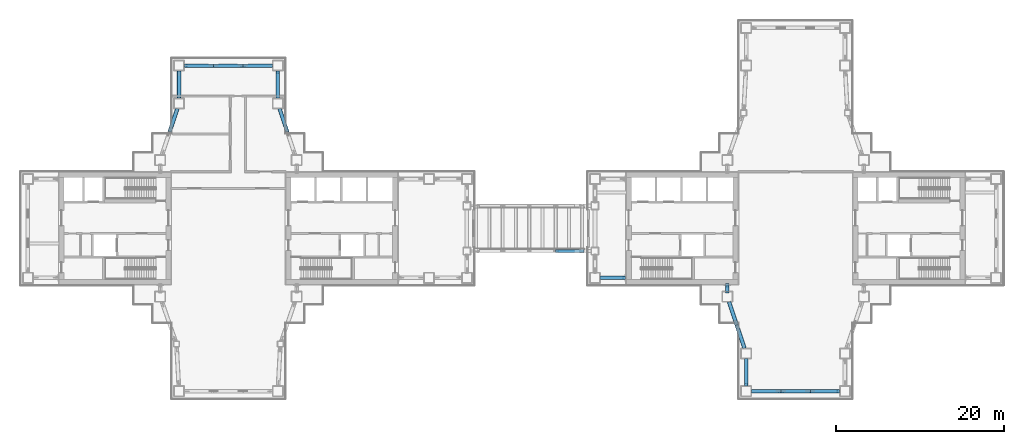
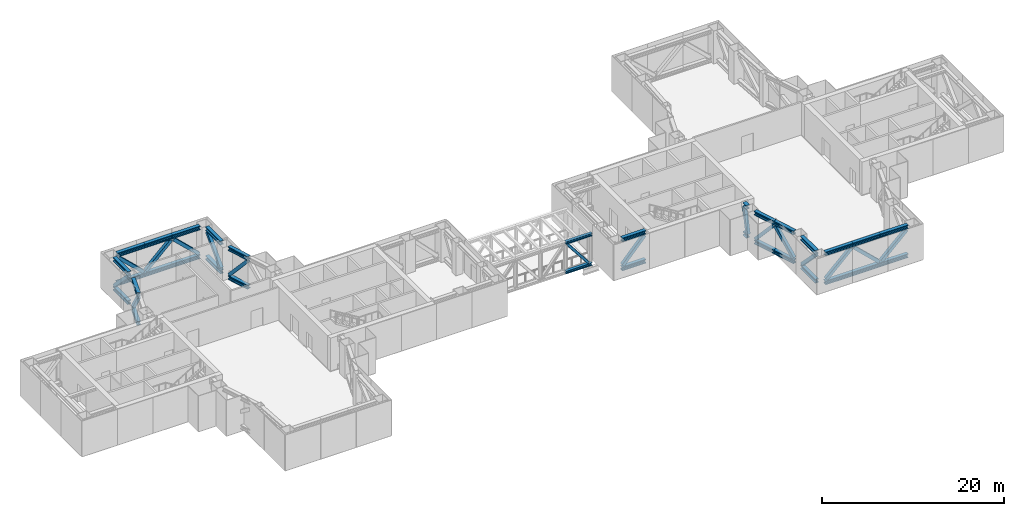
# One storey, part 5 of 21: 48 members.
"""IFC4 building model written with IfcOpenShell, lengths in metres."""

from ifc_helpers import new_model, si_unit, direction, frame, origin, origin_2d, place, context, subcontext, project, spatial, hollow_rectangle, i_section, extrude, material, material_profile, profile_set, type_object, element, save


model = new_model("IFC4")

# Units and contexts
model_context = context("Model", 3, precision=1e-05, world=origin(), true_north=direction((0.0, 1.0)))
body_context = subcontext(model_context, "Body", "Model", "MODEL_VIEW")
ifc_project = project(units=[si_unit("LENGTHUNIT", "METRE"), si_unit("AREAUNIT", "SQUARE_METRE"), si_unit("VOLUMEUNIT", "CUBIC_METRE"), si_unit("PLANEANGLEUNIT", "RADIAN"), si_unit("MASSUNIT", "GRAM", prefix="KILO")], contexts=[model_context])

# Site, building, storey
site_placement = place(None, origin())
site = spatial("IfcSite", under=ifc_project, at=site_placement, CompositionType="ELEMENT")
building_placement = place(site_placement, origin())
building = spatial("IfcBuilding", under=site, at=building_placement, Name="Shamsa Quay Exchange Towers", CompositionType="ELEMENT")
storey_placement = place(building_placement, frame((0.0, 0.0, 128.699951171875)))
storey = spatial("IfcBuildingStorey", under=building, at=storey_placement, Name="L30", CompositionType="ELEMENT", Elevation=128.699951171875)

# Members
ifc_material = material(Name="Steel S355", Category="steel")
ifc_material_profile_1 = material_profile(ifc_material, i_section(OverallWidth=0.4423828125, OverallDepth=0.531494140625, WebThickness=0.06591796875, FlangeThickness=0.105712890625, at=origin_2d()), Name="W14x605")
ifc_profile_set_1 = profile_set([ifc_material_profile_1], Name="Steel S355")
member_type_1 = type_object("IfcMemberType", Name="Belt chord W14x605", PredefinedType="CHORD", material=ifc_profile_set_1)
for number, where, z_axis, x_axis, name in (
    (1, (-26.75, 11.5, 4.13427734375), (-0.316253032459, 0.948674875529, 0.0), (-0.948674875529, -0.316253032459, 0.0), "Belt truss chord T1 L30 17"),
    (2, (-26.75, 11.5, 0.265869140625), (-0.316253032459, 0.948674875529, 0.0), (-0.948674875529, -0.316253032459, 0.0), "Belt truss chord T1 L30 17"),
):
    element("IfcMember", number, at=place(storey_placement, frame(where, z_axis=z_axis, x_axis=x_axis)), inside=storey, type_object=member_type_1, Name=name, PredefinedType="CHORD", context=body_context, shape_type="SweptSolid", body=[
        extrude(i_section(OverallWidth=0.4423828125, OverallDepth=0.531494140625, WebThickness=0.06591796875, FlangeThickness=0.105712890625, at=origin_2d()), origin(), (0.0, 0.0, 1.0), 2.898681640625),
    ])
for number, where, z_axis, x_axis, name in (
    (3, (-27.875, 15.5, 4.13427734375), (0.0, 1.0, 0.0), (-1.0, 0.0, 0.0), "Belt truss chord T1 L30 18"),
    (4, (-27.875, 15.5, 0.265869140625), (0.0, 1.0, 0.0), (-1.0, 0.0, 0.0), "Belt truss chord T1 L30 18"),
):
    element("IfcMember", number, at=place(storey_placement, frame(where, z_axis=z_axis, x_axis=x_axis)), inside=storey, type_object=member_type_1, Name=name, PredefinedType="CHORD", context=body_context, shape_type="SweptSolid", body=[
        extrude(i_section(OverallWidth=0.4423828125, OverallDepth=0.531494140625, WebThickness=0.06591796875, FlangeThickness=0.105712890625, at=origin_2d()), origin(), (0.0, 0.0, 1.0), 3.25),
    ])
for number, where, z_axis, x_axis, name in (
    (5, (-28.5, 19.375, 4.13427734375), (-1.0, 0.0, 0.0), (0.0, -1.0, 0.0), "Belt truss chord T1 L30 19"),
    (6, (-28.5, 19.375, 0.265869140625), (-1.0, 0.0, 0.0), (0.0, -1.0, 0.0), "Belt truss chord T1 L30 19"),
    (7, (-32.0, 19.375, 4.13427734375), (-1.0, 0.0, 0.0), (0.0, -1.0, 0.0), "Belt truss chord T1 L30 19"),
    (8, (-32.0, 19.375, 0.265869140625), (-1.0, 0.0, 0.0), (0.0, -1.0, 0.0), "Belt truss chord T1 L30 19"),
    (9, (-35.5, 19.375, 4.13427734375), (-1.0, 0.0, 0.0), (0.0, -1.0, 0.0), "Belt truss chord T1 L30 19"),
    (10, (-35.5, 19.375, 0.265869140625), (-1.0, 0.0, 0.0), (0.0, -1.0, 0.0), "Belt truss chord T1 L30 19"),
):
    element("IfcMember", number, at=place(storey_placement, frame(where, z_axis=z_axis, x_axis=x_axis)), inside=storey, type_object=member_type_1, Name=name, PredefinedType="CHORD", context=body_context, shape_type="SweptSolid", body=[
        extrude(i_section(OverallWidth=0.4423828125, OverallDepth=0.531494140625, WebThickness=0.06591796875, FlangeThickness=0.105712890625, at=origin_2d()), origin(), (0.0, 0.0, 1.0), 3.5),
    ])
for number, where, z_axis, x_axis, name in (
    (11, (-39.625, 18.75, 4.13427734375), (0.0, -1.0, 0.0), (1.0, 0.0, 0.0), "Belt truss chord T1 L30 20"),
    (12, (-39.625, 18.75, 0.265869140625), (0.0, -1.0, 0.0), (1.0, 0.0, 0.0), "Belt truss chord T1 L30 20"),
):
    element("IfcMember", number, at=place(storey_placement, frame(where, z_axis=z_axis, x_axis=x_axis)), inside=storey, type_object=member_type_1, Name=name, PredefinedType="CHORD", context=body_context, shape_type="SweptSolid", body=[
        extrude(i_section(OverallWidth=0.4423828125, OverallDepth=0.531494140625, WebThickness=0.06591796875, FlangeThickness=0.105712890625, at=origin_2d()), origin(), (0.0, 0.0, 1.0), 3.25),
    ])
for number, where, z_axis, x_axis, name in (
    (13, (-39.833251953125, 14.25, 4.13427734375), (-0.316253032459, -0.948674875529, 0.0), (0.948674875529, -0.316253032459, 0.0), "Belt truss chord T1 L30 21"),
    (14, (-39.833251953125, 14.25, 0.265869140625), (-0.316253032459, -0.948674875529, 0.0), (0.948674875529, -0.316253032459, 0.0), "Belt truss chord T1 L30 21"),
    (15, (25.833251953125, -8.75, 4.13427734375), (0.316253032459, -0.948674875529, 0.0), (0.948674875529, 0.316253032459, 0.0), "Belt truss chord T2 L30 3"),
    (16, (25.833251953125, -8.75, 0.265869140625), (0.316253032459, -0.948674875529, 0.0), (0.948674875529, 0.316253032459, 0.0), "Belt truss chord T2 L30 3"),
    (17, (26.75, -11.5, 4.13427734375), (0.316253032459, -0.948674875529, 0.0), (0.948674875529, 0.316253032459, 0.0), "Belt truss chord T2 L30 3"),
    (18, (26.75, -11.5, 0.265869140625), (0.316253032459, -0.948674875529, 0.0), (0.948674875529, 0.316253032459, 0.0), "Belt truss chord T2 L30 3"),
):
    element("IfcMember", number, at=place(storey_placement, frame(where, z_axis=z_axis, x_axis=x_axis)), inside=storey, type_object=member_type_1, Name=name, PredefinedType="CHORD", context=body_context, shape_type="SweptSolid", body=[
        extrude(i_section(OverallWidth=0.4423828125, OverallDepth=0.531494140625, WebThickness=0.06591796875, FlangeThickness=0.105712890625, at=origin_2d()), origin(), (0.0, 0.0, 1.0), 2.898681640625),
    ])
for number, where, z_axis, x_axis, name in (
    (19, (27.875, -15.5, 4.13427734375), (0.0, -1.0, 0.0), (1.0, 0.0, 0.0), "Belt truss chord T2 L30 4"),
    (20, (27.875, -15.5, 0.265869140625), (0.0, -1.0, 0.0), (1.0, 0.0, 0.0), "Belt truss chord T2 L30 4"),
):
    element("IfcMember", number, at=place(storey_placement, frame(where, z_axis=z_axis, x_axis=x_axis)), inside=storey, type_object=member_type_1, Name=name, PredefinedType="CHORD", context=body_context, shape_type="SweptSolid", body=[
        extrude(i_section(OverallWidth=0.4423828125, OverallDepth=0.531494140625, WebThickness=0.06591796875, FlangeThickness=0.105712890625, at=origin_2d()), origin(), (0.0, 0.0, 1.0), 3.25),
    ])
for number, where, z_axis, x_axis, name in (
    (21, (28.5, -19.375, 4.13427734375), (1.0, 0.0, 0.0), (0.0, 1.0, 0.0), "Belt truss chord T2 L30 5"),
    (22, (28.5, -19.375, 0.265869140625), (1.0, 0.0, 0.0), (0.0, 1.0, 0.0), "Belt truss chord T2 L30 5"),
    (23, (32.0, -19.375, 4.13427734375), (1.0, 0.0, 0.0), (0.0, 1.0, 0.0), "Belt truss chord T2 L30 5"),
    (24, (32.0, -19.375, 0.265869140625), (1.0, 0.0, 0.0), (0.0, 1.0, 0.0), "Belt truss chord T2 L30 5"),
    (25, (35.5, -19.375, 4.13427734375), (1.0, 0.0, 0.0), (0.0, 1.0, 0.0), "Belt truss chord T2 L30 5"),
    (26, (35.5, -19.375, 0.265869140625), (1.0, 0.0, 0.0), (0.0, 1.0, 0.0), "Belt truss chord T2 L30 5"),
):
    element("IfcMember", number, at=place(storey_placement, frame(where, z_axis=z_axis, x_axis=x_axis)), inside=storey, type_object=member_type_1, Name=name, PredefinedType="CHORD", context=body_context, shape_type="SweptSolid", body=[
        extrude(i_section(OverallWidth=0.4423828125, OverallDepth=0.531494140625, WebThickness=0.06591796875, FlangeThickness=0.105712890625, at=origin_2d()), origin(), (0.0, 0.0, 1.0), 3.5),
    ])
ifc_material_profile_2 = material_profile(ifc_material, hollow_rectangle(XDim=0.406494140625, YDim=0.406494140625, WallThickness=0.01904296875, at=origin_2d()), Name="HSS16x16x3/4")
ifc_profile_set_2 = profile_set([ifc_material_profile_2], Name="Steel S355")
member_type_2 = type_object("IfcMemberType", Name="Belt diagonal HSS16x16x3/4", PredefinedType="BRACE", material=ifc_profile_set_2)
member_1_placement = place(storey_placement, frame((-27.630126953125, 14.14013671875, 0.664794921875), z_axis=(0.207392349561, -0.622117021954, 0.754956173786), x_axis=(0.948674144101, 0.316255226541, 0.0)))
element("IfcMember", 27, at=member_1_placement, inside=storey, type_object=member_type_2, Name="Belt truss diagonal T1 L30 17", PredefinedType="BRACE", context=body_context, shape_type="SweptSolid", body=[
    extrude(hollow_rectangle(XDim=0.406494140625, YDim=0.406494140625, WallThickness=0.01904296875, at=origin_2d()), origin(), (0.0, 0.0, 1.0), 4.067138671875),
])
member_2_placement = place(storey_placement, frame((-27.875, 15.63818359375, 0.67333984375), z_axis=(0.0, 0.69767935738, 0.716410157861), x_axis=(-1.0, 0.0, 0.0)))
element("IfcMember", 28, at=member_2_placement, inside=storey, type_object=member_type_2, Name="Belt truss diagonal T1 L30 18", PredefinedType="BRACE", context=body_context, shape_type="SweptSolid", body=[
    extrude(hollow_rectangle(XDim=0.406494140625, YDim=0.406494140625, WallThickness=0.01904296875, at=origin_2d()), origin(), (0.0, 0.0, 1.0), 4.26220703125),
])
for number, where, z_axis, x_axis, name in (
    (29, (-28.654296875, 19.375, 0.678466796875), (-0.723709894071, 0.0, 0.690104332129), (0.0, -1.0, 0.0), "Belt truss diagonal T1 L30 19"),
    (30, (-35.345703125, 19.375, 0.678466796875), (0.723709894071, 0.0, 0.690104332129), (0.0, 1.0, 0.0), "Belt truss diagonal T1 L30 19"),
    (31, (-35.654296875, 19.375, 0.678466796875), (-0.723709894071, 0.0, 0.690104332129), (0.0, -1.0, 0.0), "Belt truss diagonal T1 L30 19"),
):
    element("IfcMember", number, at=place(storey_placement, frame(where, z_axis=z_axis, x_axis=x_axis)), inside=storey, type_object=member_type_2, Name=name, PredefinedType="BRACE", context=body_context, shape_type="SweptSolid", body=[
        extrude(hollow_rectangle(XDim=0.406494140625, YDim=0.406494140625, WallThickness=0.01904296875, at=origin_2d()), origin(), (0.0, 0.0, 1.0), 4.40966796875),
    ])
member_3_placement = place(storey_placement, frame((-39.625, 18.61181640625, 0.67333984375), z_axis=(0.0, -0.69767935738, 0.716410157861), x_axis=(1.0, 0.0, 0.0)))
element("IfcMember", 32, at=member_3_placement, inside=storey, type_object=member_type_2, Name="Belt truss diagonal T1 L30 20", PredefinedType="BRACE", context=body_context, shape_type="SweptSolid", body=[
    extrude(hollow_rectangle(XDim=0.406494140625, YDim=0.406494140625, WallThickness=0.01904296875, at=origin_2d()), origin(), (0.0, 0.0, 1.0), 4.26220703125),
])
for number, where, z_axis, x_axis, name in (
    (33, (-39.869873046875, 14.14013671875, 0.664794921875), (-0.207392349561, -0.622117021954, 0.754956173786), (0.948674144101, -0.316255226541, 0.0), "Belt truss diagonal T1 L30 21"),
    (34, (25.869873046875, -8.85986328125, 0.664794921875), (0.207392349561, -0.622117021954, 0.754956173786), (0.948674144101, 0.316255226541, 0.0), "Belt truss diagonal T2 L30 3"),
    (35, (27.630126953125, -14.14013671875, 0.664794921875), (-0.207392349561, 0.622117021954, 0.754956173786), (-0.948674144101, -0.316255226541, 0.0), "Belt truss diagonal T2 L30 3"),
):
    element("IfcMember", number, at=place(storey_placement, frame(where, z_axis=z_axis, x_axis=x_axis)), inside=storey, type_object=member_type_2, Name=name, PredefinedType="BRACE", context=body_context, shape_type="SweptSolid", body=[
        extrude(hollow_rectangle(XDim=0.406494140625, YDim=0.406494140625, WallThickness=0.01904296875, at=origin_2d()), origin(), (0.0, 0.0, 1.0), 4.067138671875),
    ])
member_4_placement = place(storey_placement, frame((27.875, -15.63818359375, 0.67333984375), z_axis=(0.0, -0.69767935738, 0.716410157861), x_axis=(1.0, 0.0, 0.0)))
element("IfcMember", 36, at=member_4_placement, inside=storey, type_object=member_type_2, Name="Belt truss diagonal T2 L30 4", PredefinedType="BRACE", context=body_context, shape_type="SweptSolid", body=[
    extrude(hollow_rectangle(XDim=0.406494140625, YDim=0.406494140625, WallThickness=0.01904296875, at=origin_2d()), origin(), (0.0, 0.0, 1.0), 4.26220703125),
])
for number, where, z_axis, x_axis, name in (
    (37, (28.654296875, -19.375, 0.678466796875), (0.723709894071, 0.0, 0.690104332129), (0.0, 1.0, 0.0), "Belt truss diagonal T2 L30 5"),
    (38, (35.345703125, -19.375, 0.678466796875), (-0.723709894071, 0.0, 0.690104332129), (0.0, -1.0, 0.0), "Belt truss diagonal T2 L30 5"),
    (39, (35.654296875, -19.375, 0.678466796875), (0.723709894071, 0.0, 0.690104332129), (0.0, 1.0, 0.0), "Belt truss diagonal T2 L30 5"),
):
    element("IfcMember", number, at=place(storey_placement, frame(where, z_axis=z_axis, x_axis=x_axis)), inside=storey, type_object=member_type_2, Name=name, PredefinedType="BRACE", context=body_context, shape_type="SweptSolid", body=[
        extrude(hollow_rectangle(XDim=0.406494140625, YDim=0.406494140625, WallThickness=0.01904296875, at=origin_2d()), origin(), (0.0, 0.0, 1.0), 4.40966796875),
    ])
ifc_material_profile_3 = material_profile(ifc_material, i_section(OverallWidth=0.4423828125, OverallDepth=0.531494140625, WebThickness=0.06591796875, FlangeThickness=0.105712890625, at=origin_2d()), Name="W14x605")
ifc_profile_set_3 = profile_set([ifc_material_profile_3], Name="Steel S355")
member_type_3 = type_object("IfcMemberType", Name="Outrigger chord W14x605", PredefinedType="CHORD", material=ifc_profile_set_3)
for number, where, z_axis, x_axis, name in (
    (40, (10.5, -5.875, 4.13427734375), (1.0, 0.0, 0.0), (0.0, 1.0, 0.0), "Outrigger truss chord T2 L30 1"),
    (41, (10.5, -5.875, 0.265869140625), (1.0, 0.0, 0.0), (0.0, 1.0, 0.0), "Outrigger truss chord T2 L30 1"),
):
    element("IfcMember", number, at=place(storey_placement, frame(where, z_axis=z_axis, x_axis=x_axis)), inside=storey, type_object=member_type_3, Name=name, PredefinedType="CHORD", context=body_context, shape_type="SweptSolid", body=[
        extrude(i_section(OverallWidth=0.4423828125, OverallDepth=0.531494140625, WebThickness=0.06591796875, FlangeThickness=0.105712890625, at=origin_2d()), origin(), (0.0, 0.0, 1.0), 3.0),
    ])
for number, where, z_axis, x_axis, name in (
    (42, (25.625, -7.5, 4.13427734375), (0.0, 1.0, 0.0), (-1.0, 0.0, 0.0), "Outrigger truss chord T2 L30 2"),
    (43, (25.625, -7.5, 0.265869140625), (0.0, 1.0, 0.0), (-1.0, 0.0, 0.0), "Outrigger truss chord T2 L30 2"),
):
    element("IfcMember", number, at=place(storey_placement, frame(where, z_axis=z_axis, x_axis=x_axis)), inside=storey, type_object=member_type_3, Name=name, PredefinedType="CHORD", context=body_context, shape_type="SweptSolid", body=[
        extrude(i_section(OverallWidth=0.4423828125, OverallDepth=0.531494140625, WebThickness=0.06591796875, FlangeThickness=0.105712890625, at=origin_2d()), origin(), (0.0, 0.0, 1.0), 0.75),
    ])
ifc_material_profile_4 = material_profile(ifc_material, hollow_rectangle(XDim=0.406494140625, YDim=0.406494140625, WallThickness=0.01904296875, at=origin_2d()), Name="HSS16x16x3/4")
ifc_profile_set_4 = profile_set([ifc_material_profile_4], Name="Steel S355")
member_type_4 = type_object("IfcMemberType", Name="Outrigger diagonal HSS16x16x3/4", PredefinedType="BRACE", material=ifc_profile_set_4)
member_5_placement = place(storey_placement, frame((10.6220703125, -5.875, 0.667236328125), z_axis=(0.668529429281, 0.0, 0.743685687764), x_axis=(0.0, 1.0, 0.0)))
element("IfcMember", 44, at=member_5_placement, inside=storey, type_object=member_type_4, Name="Outrigger truss diagonal T2 L30 1", PredefinedType="BRACE", context=body_context, shape_type="SweptSolid", body=[
    extrude(hollow_rectangle(XDim=0.406494140625, YDim=0.406494140625, WallThickness=0.01904296875, at=origin_2d()), origin(), (0.0, 0.0, 1.0), 4.122314453125),
])
member_6_placement = place(storey_placement, frame((25.625, -7.489990234375, 0.575927734375), z_axis=(0.0, 0.219274860702, 0.975663126014), x_axis=(-1.0, 0.0, 0.0)))
element("IfcMember", 45, at=member_6_placement, inside=storey, type_object=member_type_4, Name="Outrigger truss diagonal T2 L30 2", PredefinedType="BRACE", context=body_context, shape_type="SweptSolid", body=[
    extrude(hollow_rectangle(XDim=0.406494140625, YDim=0.406494140625, WallThickness=0.01904296875, at=origin_2d()), origin(), (0.0, 0.0, 1.0), 3.3291015625),
])
ifc_material_profile_5 = material_profile(ifc_material, i_section(OverallWidth=0.37255859375, OverallDepth=0.367919921875, WebThickness=0.014892578125, FlangeThickness=0.02392578125, at=origin_2d()), Name="W14x120")
ifc_profile_set_5 = profile_set([ifc_material_profile_5], Name="Steel S355")
member_type_5 = type_object("IfcMemberType", Name="Skybridge chord W14x120", PredefinedType="CHORD", material=ifc_profile_set_5)
for number, where, z_axis, x_axis, name in (
    (46, (5.206787109375, -2.699951171875, 3.6240234375), (1.0, 0.0, 0.0), (0.0, 1.0, 0.0), "Skybridge BR2 truss S top chord"),
    (47, (5.206787109375, -2.699951171875, -0.333740234375), (1.0, 0.0, 0.0), (0.0, 1.0, 0.0), "Skybridge BR2 truss S bottom chord"),
):
    element("IfcMember", number, at=place(storey_placement, frame(where, z_axis=z_axis, x_axis=x_axis)), inside=storey, type_object=member_type_5, Name=name, PredefinedType="CHORD", context=body_context, shape_type="SweptSolid", body=[
        extrude(i_section(OverallWidth=0.37255859375, OverallDepth=0.367919921875, WebThickness=0.014892578125, FlangeThickness=0.02392578125, at=origin_2d()), origin(), (0.0, 0.0, 1.0), 3.34326171875),
    ])
ifc_material_profile_6 = material_profile(ifc_material, i_section(OverallWidth=0.3046875, OverallDepth=0.307861328125, WebThickness=0.010009765625, FlangeThickness=0.015380859375, at=origin_2d()), Name="W12x65")
ifc_profile_set_6 = profile_set([ifc_material_profile_6], Name="Steel S355")
member_type_6 = type_object("IfcMemberType", Name="Skybridge diagonal W12x65", PredefinedType="BRACE", material=ifc_profile_set_6)
member_7_placement = place(storey_placement, frame((5.368408203125, -2.699951171875, 3.43994140625), z_axis=(0.616259158736, 0.0, -0.787543426913), x_axis=(0.0, 1.0, 0.0)))
element("IfcMember", 48, at=member_7_placement, inside=storey, type_object=member_type_6, Name="Skybridge BR2 truss S diagonal", PredefinedType="BRACE", context=body_context, shape_type="SweptSolid", body=[
    extrude(i_section(OverallWidth=0.3046875, OverallDepth=0.307861328125, WebThickness=0.010009765625, FlangeThickness=0.015380859375, at=origin_2d()), origin(), (0.0, 0.0, 1.0), 4.558349609375),
])

save(model, "model.ifc")
